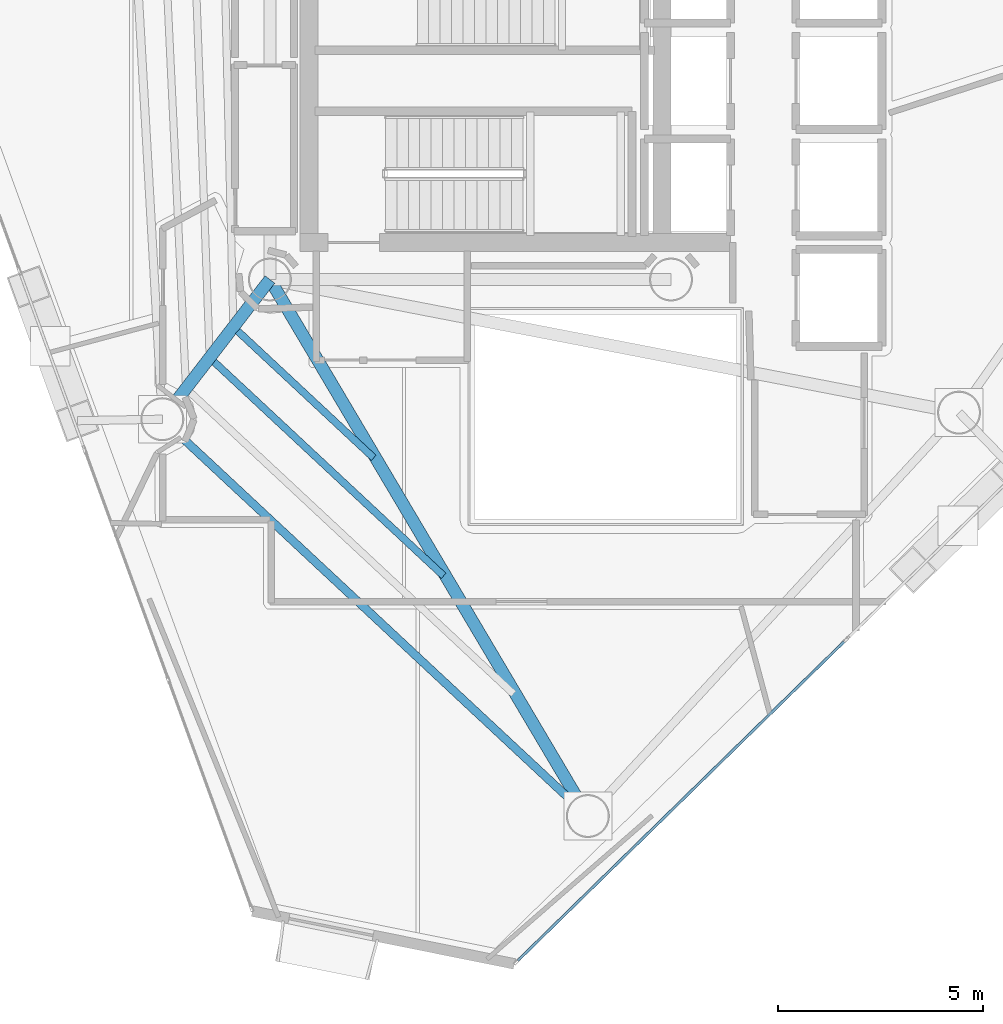
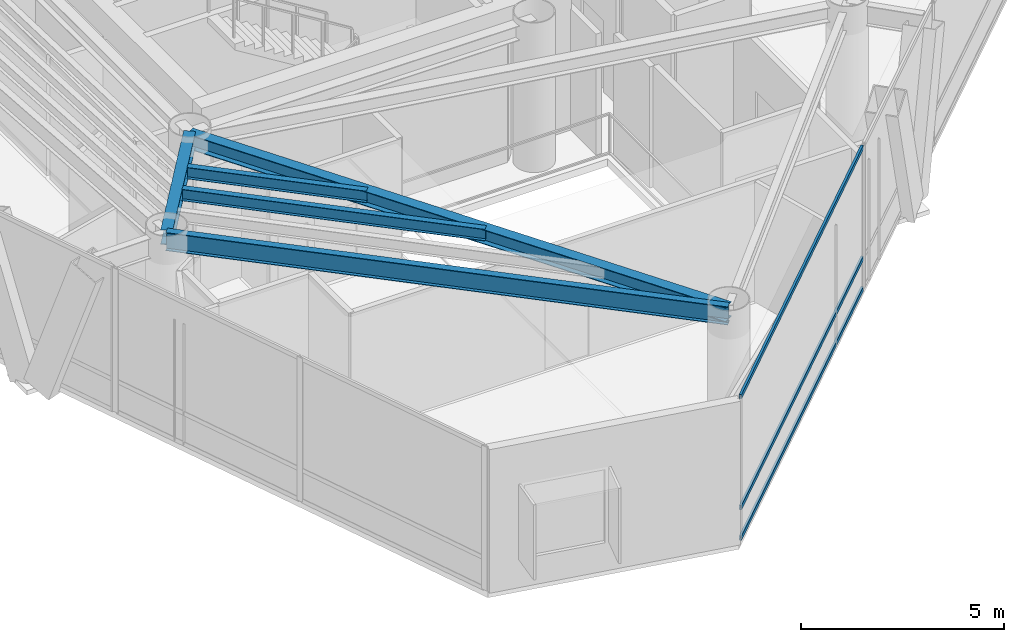
# One storey, part 4 of 21: 5 beams, 3 members, 1 element without a shape of its own.
"""IFC4 building model written with IfcOpenShell, lengths in metres."""

from ifc_helpers import new_model, si_unit, direction, frame, origin, origin_2d, place, context, subcontext, project, spatial, hollow_rectangle, i_section, extrude, material, layer, layer_set, material_profile, profile_set, type_object, element, aggregate, save


model = new_model("IFC4")

# Units and contexts
model_context = context("Model", 3, precision=1e-05, world=origin(), true_north=direction((0.0, 1.0)))
body_context = subcontext(model_context, "Body", "Model", "MODEL_VIEW")
ifc_project = project(units=[si_unit("LENGTHUNIT", "METRE"), si_unit("AREAUNIT", "SQUARE_METRE"), si_unit("VOLUMEUNIT", "CUBIC_METRE"), si_unit("PLANEANGLEUNIT", "RADIAN"), si_unit("MASSUNIT", "GRAM", prefix="KILO")], contexts=[model_context])

# Site, building, storey
site_placement = place(None, origin())
site = spatial("IfcSite", under=ifc_project, at=site_placement, CompositionType="ELEMENT")
building_placement = place(site_placement, origin())
building = spatial("IfcBuilding", under=site, at=building_placement, Name="Qianvela Tower", CompositionType="ELEMENT")
storey_placement = place(building_placement, frame((0.0, 0.0, 234.5)))
storey = spatial("IfcBuildingStorey", under=building, at=storey_placement, Name="L60", CompositionType="ELEMENT", Elevation=234.5)

# Beams
ifc_material_1 = material(Name="Steel Q355B", Category="steel")
ifc_material_profile_1 = material_profile(ifc_material_1, i_section(OverallWidth=0.300048828125, OverallDepth=0.43994140625, WebThickness=0.010986328125, FlangeThickness=0.01806640625, at=origin_2d()), Name="HM440x300x11x18")
ifc_profile_set_1 = profile_set([ifc_material_profile_1], Name="Steel Q355B")
beam_type_1 = type_object("IfcBeamType", Name="BM-HM440-COLL", PredefinedType="BEAM", material=ifc_profile_set_1)
beam_1_placement = place(storey_placement, frame((28.60009765625, 23.85009765625, 4.097900390625), z_axis=(-0.610107831638, -0.792318391667, 0.0), x_axis=(0.792318391667, -0.610107831638, 0.0)))
element("IfcBeam", 1, at=beam_1_placement, inside=storey, type_object=beam_type_1, Name="L60 Radial Primary Floor Girder 4", PredefinedType="BEAM", context=body_context, shape_type="SweptSolid", body=[
    extrude(i_section(OverallWidth=0.300048828125, OverallDepth=0.43994140625, WebThickness=0.010986328125, FlangeThickness=0.01806640625, at=origin_2d()), origin(), (0.0, 0.0, 1.0), 4.3076171875),
])
beam_2_placement = place(storey_placement, frame((28.60009765625, 23.85009765625, 4.097900390625), z_axis=(0.509851140096, -0.860262643001, 0.0), x_axis=(0.860262643001, 0.509851140096, 0.0)))
element("IfcBeam", 2, at=beam_2_placement, inside=storey, type_object=beam_type_1, Name="L60 Radial Primary Floor Girder 5", PredefinedType="BEAM", context=body_context, shape_type="SweptSolid", body=[
    extrude(i_section(OverallWidth=0.300048828125, OverallDepth=0.43994140625, WebThickness=0.010986328125, FlangeThickness=0.01806640625, at=origin_2d()), origin(), (0.0, 0.0, 1.0), 15.2373046875),
])
ifc_material_2 = material(Name="Steel Q355B", Category="steel")
ifc_material_profile_2 = material_profile(ifc_material_2, i_section(OverallWidth=0.175048828125, OverallDepth=0.35009765625, WebThickness=0.007080078125, FlangeThickness=0.010986328125, at=origin_2d()), Name="HN350x175x7x11")
ifc_profile_set_2 = profile_set([ifc_material_profile_2], Name="Steel Q355B")
beam_type_2 = type_object("IfcBeamType", Name="BM-HN350-JOIST", PredefinedType="JOIST", material=ifc_profile_set_2)
beam_3_placement = place(storey_placement, frame((27.813232421875, 22.590087890625, 4.14306640625), z_axis=(0.731376968526, -0.681973408506, 0.0), x_axis=(0.681973408506, 0.731376968526, 0.0)))
element("IfcBeam", 3, at=beam_3_placement, inside=storey, type_object=beam_type_2, Name="L60 Secondary Composite Floor Joist 4.1", PredefinedType="JOIST", context=body_context, shape_type="SweptSolid", body=[
    extrude(i_section(OverallWidth=0.175048828125, OverallDepth=0.35009765625, WebThickness=0.007080078125, FlangeThickness=0.010986328125, at=origin_2d()), origin(), (0.0, 0.0, 1.0), 4.54150390625),
])
beam_4_placement = place(storey_placement, frame((27.235107421875, 21.839111328125, 4.14306640625), z_axis=(0.731379132366, -0.681971087906, 0.0), x_axis=(0.681971087906, 0.731379132366, 0.0)))
element("IfcBeam", 4, at=beam_4_placement, inside=storey, type_object=beam_type_2, Name="L60 Secondary Composite Floor Joist 4.2", PredefinedType="JOIST", context=body_context, shape_type="SweptSolid", body=[
    extrude(i_section(OverallWidth=0.175048828125, OverallDepth=0.35009765625, WebThickness=0.007080078125, FlangeThickness=0.010986328125, at=origin_2d()), origin(), (0.0, 0.0, 1.0), 7.6689453125),
])
ifc_material_3 = material(Name="Steel Q355B", Category="steel")
ifc_material_profile_3 = material_profile(ifc_material_3, i_section(OverallWidth=0.199951171875, OverallDepth=0.550048828125, WebThickness=0.010009765625, FlangeThickness=0.01611328125, at=origin_2d()), Name="HN550x200x10x16")
ifc_profile_set_3 = profile_set([ifc_material_profile_3], Name="Steel Q355B")
beam_type_3 = type_object("IfcBeamType", Name="BM-HN550-GIRD", PredefinedType="BEAM", material=ifc_profile_set_3)
beam_5_placement = place(storey_placement, frame((25.971923828125, 20.43701171875, 4.04296875), z_axis=(0.731363016694, -0.681988370731, 0.0), x_axis=(0.681988370731, 0.731363016694, 0.0)))
element("IfcBeam", 5, at=beam_5_placement, inside=storey, type_object=beam_type_3, Name="L60 Perimeter Ring Spandrel Girder 4", PredefinedType="BEAM", context=body_context, shape_type="SweptSolid", body=[
    extrude(i_section(OverallWidth=0.199951171875, OverallDepth=0.550048828125, WebThickness=0.010009765625, FlangeThickness=0.01611328125, at=origin_2d()), origin(), (0.0, 0.0, 1.0), 14.2158203125),
])

# Curtain wall, members
ifc_material_4 = material(Name="Anodised Architectural Aluminium and Low-E Glass", Category="aluminium")
ifc_layer = layer(ifc_material_4, 0.18994140625)
ifc_layer_set = layer_set([ifc_layer], Name="Anodised Architectural Aluminium and Low-E Glass")
curtain_wall_type = type_object("IfcCurtainWallType", Name="CW-SKYLOBBY", PredefinedType="USERDEFINED", material=ifc_layer_set)
curtain_wall_placement = place(storey_placement, origin())
curtain_wall = element("IfcCurtainWall", 6, at=curtain_wall_placement, inside=storey, type_object=curtain_wall_type, Name="L60 CW-SKYLOBBY Curtain Wall 06A", ObjectType="CURTAIN_WALL_SYSTEM", PredefinedType="USERDEFINED")
ifc_material_5 = material(Name="Anodised Architectural Aluminium 6063-T6", Category="aluminium")
ifc_material_profile_4 = material_profile(ifc_material_5, hollow_rectangle(XDim=0.06494140625, YDim=0.1298828125, WallThickness=0.00439453125, at=origin_2d()), Name="ALU-TRAN-65x130")
ifc_profile_set_4 = profile_set([ifc_material_profile_4], Name="Anodised Architectural Aluminium 6063-T6")
member_type = type_object("IfcMemberType", Name="CW-SKYLOBBY-TRAN", PredefinedType="USERDEFINED", material=ifc_profile_set_4)
member_1_placement = place(storey_placement, frame((34.65966796875, 7.21142578125, 0.032470703125), z_axis=(0.715050001473, 0.699073311888, 0.0), x_axis=(-0.699073311888, 0.715050001473, 0.0)))
member_1 = element("IfcMember", 7, at=member_1_placement, type_object=member_type, Name="CW-7 transom 1.1", ObjectType="TRANSOM", PredefinedType="USERDEFINED", context=body_context, shape_type="SweptSolid", body=[
    extrude(hollow_rectangle(XDim=0.06494140625, YDim=0.1298828125, WallThickness=0.00439453125, at=origin_2d()), origin(), (0.0, 0.0, 1.0), 11.139892578125),
])
member_2_placement = place(storey_placement, frame((34.65966796875, 7.21142578125, 0.949951171875), z_axis=(0.715050001473, 0.699073311888, 0.0), x_axis=(-0.699073311888, 0.715050001473, 0.0)))
member_2 = element("IfcMember", 8, at=member_2_placement, type_object=member_type, Name="CW-7 transom 1.2", ObjectType="TRANSOM", PredefinedType="USERDEFINED", context=body_context, shape_type="SweptSolid", body=[
    extrude(hollow_rectangle(XDim=0.06494140625, YDim=0.1298828125, WallThickness=0.00439453125, at=origin_2d()), origin(), (0.0, 0.0, 1.0), 11.139892578125),
])
member_3_placement = place(storey_placement, frame((34.65966796875, 7.21142578125, 4.28759765625), z_axis=(0.715050001473, 0.699073311888, 0.0), x_axis=(-0.699073311888, 0.715050001473, 0.0)))
member_3 = element("IfcMember", 9, at=member_3_placement, type_object=member_type, Name="CW-7 transom 1.3", ObjectType="TRANSOM", PredefinedType="USERDEFINED", context=body_context, shape_type="SweptSolid", body=[
    extrude(hollow_rectangle(XDim=0.06494140625, YDim=0.1298828125, WallThickness=0.00439453125, at=origin_2d()), origin(), (0.0, 0.0, 1.0), 11.139892578125),
])
aggregate(curtain_wall, [member_1, member_2, member_3])

save(model, "model.ifc")
